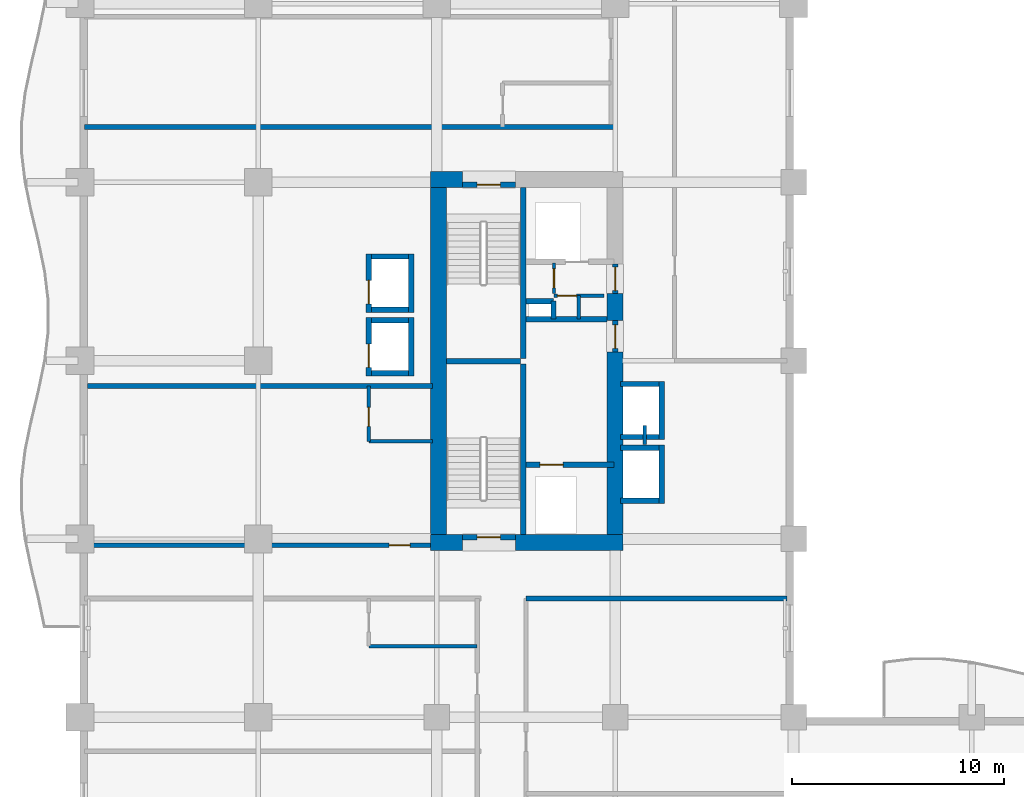
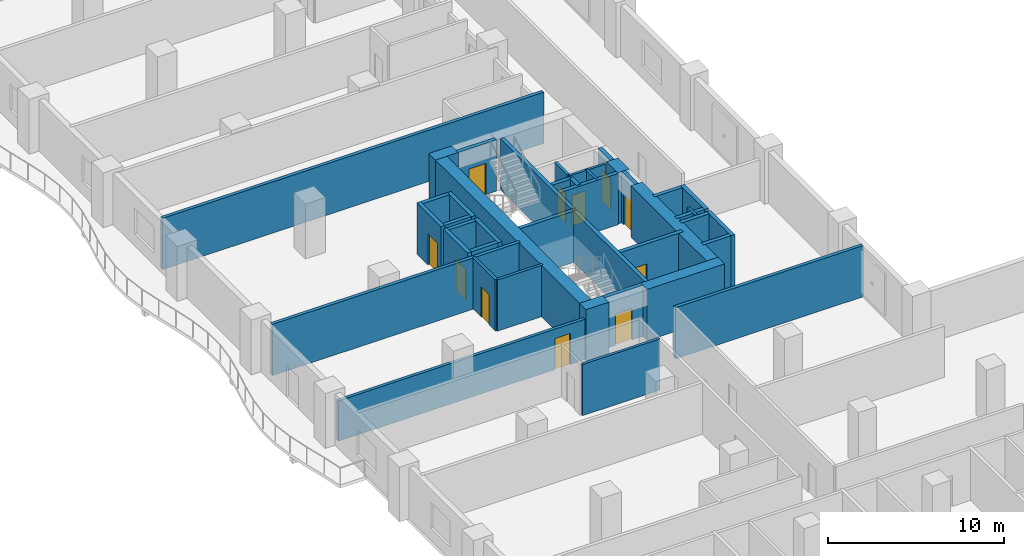
# One storey, part 8 of 18: 42 walls, 11 doors, 11 openings.
"""IFC4 building model written with IfcOpenShell, lengths in metres."""

from ifc_helpers import new_model, si_unit, direction, frame, frame_2d, origin, place, context, subcontext, project, spatial, rectangle, extrude, material, layer, layer_set, type_object, element, fill, save


model = new_model("IFC4")

# Units and contexts
model_context = context("Model", 3, precision=1e-05, world=origin(), true_north=direction((0.0, 1.0)))
body_context = subcontext(model_context, "Body", "Model", "MODEL_VIEW")
ifc_project = project(units=[si_unit("LENGTHUNIT", "METRE"), si_unit("AREAUNIT", "SQUARE_METRE"), si_unit("VOLUMEUNIT", "CUBIC_METRE"), si_unit("PLANEANGLEUNIT", "RADIAN"), si_unit("MASSUNIT", "GRAM", prefix="KILO")], contexts=[model_context])

# Site, building, storey
site_placement = place(None, origin())
site = spatial("IfcSite", under=ifc_project, at=site_placement, CompositionType="ELEMENT")
building_placement = place(site_placement, origin())
building = spatial("IfcBuilding", under=site, at=building_placement, Name="Koriwani Terraces Tower", CompositionType="ELEMENT")
storey_placement = place(building_placement, frame((0.0, 0.0, 100.0)))
storey = spatial("IfcBuildingStorey", under=building, at=storey_placement, Name="L23", CompositionType="ELEMENT", Elevation=100.0)

# Walls
ifc_material_1 = material(Name="Concrete C60/75", Category="concrete")
ifc_layer_1 = layer(ifc_material_1, 0.75, Name="Concrete C60/75")
ifc_layer_set_1 = layer_set([ifc_layer_1], Name="Concrete C60/75")
wall_type_1 = type_object("IfcWallType", Name="WALL_CORE_RC_750", PredefinedType="SHEAR", material=ifc_layer_set_1)
wall_1_placement = place(storey_placement, frame((16.5, 41.824951171875, 0.0), z_axis=(0.0, 0.0, 1.0), x_axis=(1.0, 0.0, 0.0)))
element("IfcWall", 1, at=wall_1_placement, inside=storey, type_object=wall_type_1, Name="L23 West Split Core Shear Wall S1", PredefinedType="SHEAR", context=body_context, shape_type="SweptSolid", body=[
    extrude(rectangle(XDim=1.5, YDim=0.75, at=frame_2d((0.75, 0.0))), origin(), (0.0, 0.0, 1.0), 3.550048828125),
])
wall_2_placement = place(storey_placement, frame((20.5, 41.824951171875, 0.0), z_axis=(0.0, 0.0, 1.0), x_axis=(1.0, 0.0, 0.0)))
element("IfcWall", 2, at=wall_2_placement, inside=storey, type_object=wall_type_1, Name="L23 West Split Core Shear Wall S2", PredefinedType="SHEAR", context=body_context, shape_type="SweptSolid", body=[
    extrude(rectangle(XDim=5.074951171875, YDim=0.75, at=frame_2d((2.53759765625, 0.0))), origin(), (0.0, 0.0, 1.0), 3.550048828125),
])
wall_3_placement = place(storey_placement, frame((16.5, 58.925048828125, 0.0), z_axis=(0.0, 0.0, 1.0), x_axis=(1.0, 0.0, 0.0)))
element("IfcWall", 3, at=wall_3_placement, inside=storey, type_object=wall_type_1, Name="L23 West Split Core Shear Wall N1", PredefinedType="SHEAR", context=body_context, shape_type="SweptSolid", body=[
    extrude(rectangle(XDim=1.5, YDim=0.75, at=frame_2d((0.75, 0.0))), origin(), (0.0, 0.0, 1.0), 3.550048828125),
])
wall_4_placement = place(storey_placement, frame((16.875, 42.199951171875, 0.0), z_axis=(0.0, 0.0, 1.0), x_axis=(0.0, 1.0, 0.0)))
element("IfcWall", 4, at=wall_4_placement, inside=storey, type_object=wall_type_1, Name="L23 West Split Core Shear Wall W1", PredefinedType="SHEAR", context=body_context, shape_type="SweptSolid", body=[
    extrude(rectangle(XDim=16.35009765625, YDim=0.75, at=frame_2d((8.175048828125, 0.0))), origin(), (0.0, 0.0, 1.0), 3.550048828125),
])
wall_5_placement = place(storey_placement, frame((25.199951171875, 42.199951171875, 0.0), z_axis=(0.0, 0.0, 1.0), x_axis=(0.0, 1.0, 0.0)))
element("IfcWall", 5, at=wall_5_placement, inside=storey, type_object=wall_type_1, Name="L23 West Split Core Shear Wall E1", PredefinedType="SHEAR", context=body_context, shape_type="SweptSolid", body=[
    extrude(rectangle(XDim=8.60009765625, YDim=0.75, at=frame_2d((4.300048828125, 0.0))), origin(), (0.0, 0.0, 1.0), 3.550048828125),
])
wall_6_placement = place(storey_placement, frame((25.199951171875, 52.280029296875, 0.0), z_axis=(0.0, 0.0, 1.0), x_axis=(0.0, 1.0, 0.0)))
element("IfcWall", 6, at=wall_6_placement, inside=storey, type_object=wall_type_1, Name="L23 West Split Core Shear Wall E2", PredefinedType="SHEAR", context=body_context, shape_type="SweptSolid", body=[
    extrude(rectangle(XDim=1.27001953125, YDim=0.75, at=frame_2d((0.635009765625, 0.0))), origin(), (0.0, 0.0, 1.0), 3.550048828125),
])

# Wall, opening, door
ifc_material_2 = material(Name="Autoclaved Cellular Concrete Blockwork", Category="masonry")
ifc_layer_2 = layer(ifc_material_2, 0.199951171875, Name="Autoclaved Cellular Concrete Blockwork")
ifc_layer_set_2 = layer_set([ifc_layer_2], Name="Autoclaved Cellular Concrete Blockwork")
wall_type_2 = type_object("IfcWallType", Name="WALL_CORRIDOR_200", PredefinedType="PARTITIONING", material=ifc_layer_set_2)
wall_7_placement = place(storey_placement, frame((0.35009765625, 41.699951171875, 0.0), z_axis=(0.0, 0.0, 1.0), x_axis=(1.0, 0.0, 0.0)))
wall_7 = element("IfcWall", 7, at=wall_7_placement, inside=storey, type_object=wall_type_2, Name="L23 Interior Wall WREC-WS-L23", PredefinedType="PARTITIONING", context=body_context, shape_type="SweptSolid", body=[
    extrude(rectangle(XDim=16.25, YDim=0.199951171875, at=frame_2d((8.125, 0.0))), origin(), (0.0, 0.0, 1.0), 2.800048828125),
])
opening_1_placement = place(wall_7_placement, frame((14.199951171875, 0.0, 0.0)))
opening_1 = element("IfcOpeningElement", 8, at=opening_1_placement, cuts=wall_7, Name="Opening D-05", PredefinedType="OPENING", context=body_context, shape_type="SweptSolid", body=[
    extrude(rectangle(XDim=1.0, YDim=2.14990234375, at=frame_2d((0.5, 1.074951171875))), frame((0.0, 0.10986328125, 0.0), z_axis=(0.0, -1.0, 0.0), x_axis=(1.0, 0.0, 0.0)), (0.0, 0.0, 1.0), 0.219970703125),
])
ifc_material_3 = material(Name="Architectural Oak Fire Door", Category="wood")
door_type_1 = type_object("IfcDoorType", Name="DOOR_SUITE_ENTRY_1000X2150", OperationType="NOTDEFINED", PredefinedType="DOOR", material=ifc_material_3)
door_1_placement = place(opening_1_placement, origin())
door_1 = element("IfcDoor", 9, at=door_1_placement, inside=storey, type_object=door_type_1, Name="L23 Reclaimed West Suite Door", OperationType="SINGLE_SWING_LEFT", OverallHeight=2.14990234375, OverallWidth=1.0, PredefinedType="DOOR", context=body_context, shape_type="SweptSolid", body=[
    extrude(rectangle(XDim=1.0, YDim=2.14990234375, at=frame_2d((0.5, 1.074951171875))), frame((0.0, 0.02490234375, 0.0), z_axis=(0.0, -1.0, 0.0), x_axis=(1.0, 0.0, 0.0)), (0.0, 0.0, 1.0), 0.050048828125),
])
fill(opening_1, door_1)

# Walls
ifc_layer_3 = layer(ifc_material_2, 0.219970703125, Name="Autoclaved Cellular Concrete Blockwork")
ifc_layer_set_3 = layer_set([ifc_layer_3], Name="Autoclaved Cellular Concrete Blockwork")
wall_type_3 = type_object("IfcWallType", Name="WALL_DEMISING_220", PredefinedType="PARTITIONING", material=ifc_layer_set_3)
wall_8_placement = place(storey_placement, frame((0.35009765625, 49.199951171875, 0.0), z_axis=(0.0, 0.0, 1.0), x_axis=(1.0, 0.0, 0.0)))
element("IfcWall", 10, at=wall_8_placement, inside=storey, type_object=wall_type_3, Name="L23 Interior Wall WREC-WN-L23", PredefinedType="PARTITIONING", context=body_context, shape_type="SweptSolid", body=[
    extrude(rectangle(XDim=16.25, YDim=0.219970703125, at=frame_2d((8.125, 0.0))), origin(), (0.0, 0.0, 1.0), 3.550048828125),
])
wall_9_placement = place(storey_placement, frame((21.0, 39.199951171875, 0.0), z_axis=(0.0, 0.0, 1.0), x_axis=(1.0, 0.0, 0.0)))
element("IfcWall", 11, at=wall_9_placement, inside=storey, type_object=wall_type_3, Name="L23 Interior Wall WIC2-N-L23", PredefinedType="PARTITIONING", context=body_context, shape_type="SweptSolid", body=[
    extrude(rectangle(XDim=12.300048828125, YDim=0.219970703125, at=frame_2d((6.14990234375, 0.0))), origin(), (0.0, 0.0, 1.0), 3.550048828125),
])
wall_10_placement = place(storey_placement, frame((0.199951171875, 61.39990234375, 0.0), z_axis=(0.0, 0.0, 1.0), x_axis=(1.0, 0.0, 0.0)))
element("IfcWall", 12, at=wall_10_placement, inside=storey, type_object=wall_type_3, Name="L23 Interior Wall WDEM-L23-NE-0", PredefinedType="PARTITIONING", context=body_context, shape_type="SweptSolid", body=[
    extrude(rectangle(XDim=24.97998046875, YDim=0.219970703125, at=frame_2d((12.489990234375, 0.0))), origin(), (0.0, 0.0, 1.0), 3.550048828125),
])
ifc_material_4 = material(Name="Fire-Rated Acoustic Gypsum Partition", Category="masonry")
ifc_layer_4 = layer(ifc_material_4, 0.179931640625, Name="Fire-Rated Acoustic Gypsum Partition")
ifc_layer_set_4 = layer_set([ifc_layer_4], Name="Fire-Rated Acoustic Gypsum Partition")
wall_type_4 = type_object("IfcWallType", Name="WALL_PLUMBING_180", PredefinedType="PLUMBINGWALL", material=ifc_layer_set_4)
wall_11_placement = place(storey_placement, frame((13.60009765625, 46.60009765625, 0.0), z_axis=(0.0, 0.0, 1.0), x_axis=(1.0, 0.0, 0.0)))
element("IfcWall", 13, at=wall_11_placement, inside=storey, type_object=wall_type_4, Name="L23 Interior Wall WREC-WB1-L23", PredefinedType="PLUMBINGWALL", context=body_context, shape_type="SweptSolid", body=[
    extrude(rectangle(XDim=3.0, YDim=0.179931640625, at=frame_2d((1.5, 0.0))), origin(), (0.0, 0.0, 1.0), 3.550048828125),
])

# Wall, opening, door
wall_12_placement = place(storey_placement, frame((13.60009765625, 46.60009765625, 0.0), z_axis=(0.0, 0.0, 1.0), x_axis=(0.0, 1.0, 0.0)))
wall_12 = element("IfcWall", 14, at=wall_12_placement, inside=storey, type_object=wall_type_4, Name="L23 Interior Wall WREC-WB2-L23", PredefinedType="PLUMBINGWALL", context=body_context, shape_type="SweptSolid", body=[
    extrude(rectangle(XDim=2.599853515625, YDim=0.179931640625, at=frame_2d((1.2998046875, 0.0))), origin(), (0.0, 0.0, 1.0), 3.550048828125),
])
opening_2_placement = place(wall_12_placement, frame((0.699951171875, 0.0, 0.0)))
opening_2 = element("IfcOpeningElement", 15, at=opening_2_placement, cuts=wall_12, Name="Opening D-07", PredefinedType="OPENING", context=body_context, shape_type="SweptSolid", body=[
    extrude(rectangle(XDim=0.89990234375, YDim=2.10009765625, at=frame_2d((0.449951171875, 1.050048828125))), frame((0.0, 0.10009765625, 0.0), z_axis=(0.0, -1.0, 0.0), x_axis=(1.0, 0.0, 0.0)), (0.0, 0.0, 1.0), 0.199951171875),
])
door_type_2 = type_object("IfcDoorType", Name="DOOR_BATH_INT_900X2100", OperationType="NOTDEFINED", PredefinedType="DOOR", material=ifc_material_3)
door_2_placement = place(opening_2_placement, origin())
door_2 = element("IfcDoor", 16, at=door_2_placement, inside=storey, type_object=door_type_2, Name="L23 Reclaimed Suite En-Suite Door", OperationType="SINGLE_SWING_RIGHT", OverallHeight=2.10009765625, OverallWidth=0.89990234375, PredefinedType="DOOR", context=body_context, shape_type="SweptSolid", body=[
    extrude(rectangle(XDim=0.89990234375, YDim=2.10009765625, at=frame_2d((0.449951171875, 1.050048828125))), frame((0.0, 0.02490234375, 0.0), z_axis=(0.0, -1.0, 0.0), x_axis=(1.0, 0.0, 0.0)), (0.0, 0.0, 1.0), 0.050048828125),
])
fill(opening_2, door_2)

# Walls
wall_13_placement = place(storey_placement, frame((13.60009765625, 36.949951171875, 0.0), z_axis=(0.0, 0.0, 1.0), x_axis=(1.0, 0.0, 0.0)))
element("IfcWall", 17, at=wall_13_placement, inside=storey, type_object=wall_type_4, Name="L23 Interior Wall WBTH2-L23-NW-1", PredefinedType="PLUMBINGWALL", context=body_context, shape_type="SweptSolid", body=[
    extrude(rectangle(XDim=5.099853515625, YDim=0.179931640625, at=frame_2d((2.5498046875, 0.0))), origin(), (0.0, 0.0, 1.0), 3.550048828125),
])
ifc_material_5 = material(Name="Concrete C40/50", Category="concrete")
ifc_layer_5 = layer(ifc_material_5, 0.25, Name="Concrete C40/50")
ifc_layer_set_5 = layer_set([ifc_layer_5], Name="Concrete C40/50")
wall_type_5 = type_object("IfcWallType", Name="WALL_SHAFT_RATED_250", PredefinedType="SOLIDWALL", material=ifc_layer_set_5)
for number, where, z_axis, x_axis, name in (
    (18, (20.875, 42.199951171875, 0.0), (0.0, 0.0, 1.0), (0.0, 1.0, 0.0), "L23 West Split Core Web Wall MID1"),
    (19, (20.875, 50.5, 0.0), (0.0, 0.0, 1.0), (0.0, 1.0, 0.0), "L23 West Split Core Web Wall MID2"),
):
    element("IfcWall", number, at=place(storey_placement, frame(where, z_axis=z_axis, x_axis=x_axis)), inside=storey, type_object=wall_type_5, Name=name, PredefinedType="SOLIDWALL", context=body_context, shape_type="SweptSolid", body=[
        extrude(rectangle(XDim=8.050048828125, YDim=0.25, at=frame_2d((4.02490234375, 0.0))), origin(), (0.0, 0.0, 1.0), 3.550048828125),
    ])
wall_14_placement = place(storey_placement, frame((17.25, 50.375, 0.0), z_axis=(0.0, 0.0, 1.0), x_axis=(1.0, 0.0, 0.0)))
element("IfcWall", 20, at=wall_14_placement, inside=storey, type_object=wall_type_5, Name="L23 West Split Core Stair Dividing Wall", PredefinedType="SOLIDWALL", context=body_context, shape_type="SweptSolid", body=[
    extrude(rectangle(XDim=3.5, YDim=0.25, at=frame_2d((1.75, 0.0))), origin(), (0.0, 0.0, 1.0), 3.550048828125),
])

# Wall, opening, door
wall_15_placement = place(storey_placement, frame((18.0, 42.074951171875, 0.0), z_axis=(0.0, 0.0, 1.0), x_axis=(1.0, 0.0, 0.0)))
wall_15 = element("IfcWall", 21, at=wall_15_placement, inside=storey, type_object=wall_type_5, Name="L23 Interior Wall WIN-CW-L23-STS", PredefinedType="SOLIDWALL", context=body_context, shape_type="SweptSolid", body=[
    extrude(rectangle(XDim=2.5, YDim=0.25, at=frame_2d((1.25, 0.0))), origin(), (0.0, 0.0, 1.0), 3.550048828125),
])
opening_3_placement = place(wall_15_placement, frame((0.699951171875, 0.0, 0.0)))
opening_3 = element("IfcOpeningElement", 22, at=opening_3_placement, cuts=wall_15, Name="Opening D-03", PredefinedType="OPENING", context=body_context, shape_type="SweptSolid", body=[
    extrude(rectangle(XDim=1.10009765625, YDim=2.14990234375, at=frame_2d((0.550048828125, 1.074951171875))), frame((0.0, 0.135009765625, 0.0), z_axis=(0.0, -1.0, 0.0), x_axis=(1.0, 0.0, 0.0)), (0.0, 0.0, 1.0), 0.27001953125),
])
ifc_material_6 = material(Name="Steel ASTM A572 Grade 50", Category="steel")
door_type_3 = type_object("IfcDoorType", Name="DOOR_STAIR_FIRE_1100X2150", OperationType="NOTDEFINED", PredefinedType="DOOR", material=ifc_material_6)
door_3_placement = place(opening_3_placement, origin())
door_3 = element("IfcDoor", 23, at=door_3_placement, inside=storey, type_object=door_type_3, Name="L23 Exit Stair ST-W1 Door", OperationType="SINGLE_SWING_LEFT", OverallHeight=2.14990234375, OverallWidth=1.10009765625, PredefinedType="DOOR", context=body_context, shape_type="SweptSolid", body=[
    extrude(rectangle(XDim=1.10009765625, YDim=2.14990234375, at=frame_2d((0.550048828125, 1.074951171875))), frame((0.0, 0.02490234375, 0.0), z_axis=(0.0, -1.0, 0.0), x_axis=(1.0, 0.0, 0.0)), (0.0, 0.0, 1.0), 0.050048828125),
])
fill(opening_3, door_3)

wall_16_placement = place(storey_placement, frame((18.0, 58.675048828125, 0.0), z_axis=(0.0, 0.0, 1.0), x_axis=(1.0, 0.0, 0.0)))
wall_16 = element("IfcWall", 24, at=wall_16_placement, inside=storey, type_object=wall_type_5, Name="L23 Interior Wall WIN-CW-L23-STN", PredefinedType="SOLIDWALL", context=body_context, shape_type="SweptSolid", body=[
    extrude(rectangle(XDim=2.5, YDim=0.25, at=frame_2d((1.25, 0.0))), origin(), (0.0, 0.0, 1.0), 3.550048828125),
])
opening_4_placement = place(wall_16_placement, frame((0.699951171875, 0.0, 0.0)))
opening_4 = element("IfcOpeningElement", 25, at=opening_4_placement, cuts=wall_16, Name="Opening D-03", PredefinedType="OPENING", context=body_context, shape_type="SweptSolid", body=[
    extrude(rectangle(XDim=1.10009765625, YDim=2.14990234375, at=frame_2d((0.550048828125, 1.074951171875))), frame((0.0, 0.135009765625, 0.0), z_axis=(0.0, -1.0, 0.0), x_axis=(1.0, 0.0, 0.0)), (0.0, 0.0, 1.0), 0.27001953125),
])
door_4_placement = place(opening_4_placement, origin())
door_4 = element("IfcDoor", 26, at=door_4_placement, inside=storey, type_object=door_type_3, Name="L23 Exit Stair ST-W2 Door", OperationType="SINGLE_SWING_RIGHT", OverallHeight=2.14990234375, OverallWidth=1.10009765625, PredefinedType="DOOR", context=body_context, shape_type="SweptSolid", body=[
    extrude(rectangle(XDim=1.10009765625, YDim=2.14990234375, at=frame_2d((0.550048828125, 1.074951171875))), frame((0.0, 0.02490234375, 0.0), z_axis=(0.0, -1.0, 0.0), x_axis=(1.0, 0.0, 0.0)), (0.0, 0.0, 1.0), 0.050048828125),
])
fill(opening_4, door_4)

wall_17_placement = place(storey_placement, frame((21.0, 45.5, 0.0), z_axis=(0.0, 0.0, 1.0), x_axis=(1.0, 0.0, 0.0)))
wall_17 = element("IfcWall", 27, at=wall_17_placement, inside=storey, type_object=wall_type_5, Name="L23 Interior Wall WIN-CW-L23-FE", PredefinedType="SOLIDWALL", context=body_context, shape_type="SweptSolid", body=[
    extrude(rectangle(XDim=4.14990234375, YDim=0.25, at=frame_2d((2.074951171875, 0.0))), origin(), (0.0, 0.0, 1.0), 3.550048828125),
])
opening_5_placement = place(wall_17_placement, frame((0.64990234375, 0.0, 0.0)))
opening_5 = element("IfcOpeningElement", 28, at=opening_5_placement, cuts=wall_17, Name="Opening LD-01", PredefinedType="OPENING", context=body_context, shape_type="SweptSolid", body=[
    extrude(rectangle(XDim=1.10009765625, YDim=2.14990234375, at=frame_2d((0.550048828125, 1.074951171875))), frame((0.0, 0.135009765625, 0.0), z_axis=(0.0, -1.0, 0.0), x_axis=(1.0, 0.0, 0.0)), (0.0, 0.0, 1.0), 0.27001953125),
])
door_type_4 = type_object("IfcDoorType", Name="DOOR_LIFT_LANDING_1100X2200", OperationType="NOTDEFINED", PredefinedType="DOOR", material=ifc_material_6)
door_5_placement = place(opening_5_placement, origin())
door_5 = element("IfcDoor", 29, at=door_5_placement, inside=storey, type_object=door_type_4, Name="L23 Firefighting Lift FE-01 Landing Door", OperationType="SLIDING_TO_LEFT", OverallHeight=2.14990234375, OverallWidth=1.10009765625, PredefinedType="DOOR", context=body_context, shape_type="SweptSolid", body=[
    extrude(rectangle(XDim=1.10009765625, YDim=2.14990234375, at=frame_2d((0.550048828125, 1.074951171875))), frame((0.0, 0.02490234375, 0.0), z_axis=(0.0, -1.0, 0.0), x_axis=(1.0, 0.0, 0.0)), (0.0, 0.0, 1.0), 0.050048828125),
])
fill(opening_5, door_5)

wall_18_placement = place(storey_placement, frame((25.199951171875, 50.800048828125, 0.0), z_axis=(0.0, 0.0, 1.0), x_axis=(0.0, 1.0, 0.0)))
wall_18 = element("IfcWall", 30, at=wall_18_placement, inside=storey, type_object=wall_type_5, Name="L23 Interior Wall WIN-CW-L23-EP", PredefinedType="SOLIDWALL", context=body_context, shape_type="SweptSolid", body=[
    extrude(rectangle(XDim=1.47998046875, YDim=0.25, at=frame_2d((0.739990234375, 0.0))), origin(), (0.0, 0.0, 1.0), 3.550048828125),
])
opening_6_placement = place(wall_18_placement, frame((0.179931640625, 0.0, 0.0)))
opening_6 = element("IfcOpeningElement", 31, at=opening_6_placement, cuts=wall_18, Name="Opening D-03", PredefinedType="OPENING", context=body_context, shape_type="SweptSolid", body=[
    extrude(rectangle(XDim=1.10009765625, YDim=2.14990234375, at=frame_2d((0.550048828125, 1.074951171875))), frame((0.0, 0.135009765625, 0.0), z_axis=(0.0, -1.0, 0.0), x_axis=(1.0, 0.0, 0.0)), (0.0, 0.0, 1.0), 0.27001953125),
])
door_6_placement = place(opening_6_placement, origin())
door_6 = element("IfcDoor", 32, at=door_6_placement, inside=storey, type_object=door_type_3, Name="L23 West Firefighting Lobby Door", OperationType="SINGLE_SWING_LEFT", OverallHeight=2.14990234375, OverallWidth=1.10009765625, PredefinedType="DOOR", context=body_context, shape_type="SweptSolid", body=[
    extrude(rectangle(XDim=1.10009765625, YDim=2.14990234375, at=frame_2d((0.550048828125, 1.074951171875))), frame((0.0, 0.02490234375, 0.0), z_axis=(0.0, -1.0, 0.0), x_axis=(1.0, 0.0, 0.0)), (0.0, 0.0, 1.0), 0.050048828125),
])
fill(opening_6, door_6)

# Wall
wall_19_placement = place(storey_placement, frame((21.0, 52.340087890625, 0.0), z_axis=(0.0, 0.0, 1.0), x_axis=(1.0, 0.0, 0.0)))
element("IfcWall", 33, at=wall_19_placement, inside=storey, type_object=wall_type_5, Name="L23 Interior Wall WIN-CW-L23-FFN", PredefinedType="SOLIDWALL", context=body_context, shape_type="SweptSolid", body=[
    extrude(rectangle(XDim=3.824951171875, YDim=0.25, at=frame_2d((1.91259765625, 0.0))), origin(), (0.0, 0.0, 1.0), 3.550048828125),
])

# Wall, opening, door
wall_20_placement = place(storey_placement, frame((25.199951171875, 53.550048828125, 0.0), z_axis=(0.0, 0.0, 1.0), x_axis=(0.0, 1.0, 0.0)))
wall_20 = element("IfcWall", 34, at=wall_20_placement, inside=storey, type_object=wall_type_5, Name="L23 Interior Wall WIN-CW-L23-EP2", PredefinedType="SOLIDWALL", context=body_context, shape_type="SweptSolid", body=[
    extrude(rectangle(XDim=1.39990234375, YDim=0.25, at=frame_2d((0.699951171875, 0.0))), origin(), (0.0, 0.0, 1.0), 3.550048828125),
])
opening_7_placement = place(wall_20_placement, frame((0.14990234375, 0.0, 0.0)))
opening_7 = element("IfcOpeningElement", 35, at=opening_7_placement, cuts=wall_20, Name="Opening D-03", PredefinedType="OPENING", context=body_context, shape_type="SweptSolid", body=[
    extrude(rectangle(XDim=1.10009765625, YDim=2.14990234375, at=frame_2d((0.550048828125, 1.074951171875))), frame((0.0, 0.135009765625, 0.0), z_axis=(0.0, -1.0, 0.0), x_axis=(1.0, 0.0, 0.0)), (0.0, 0.0, 1.0), 0.27001953125),
])
door_7_placement = place(opening_7_placement, origin())
door_7 = element("IfcDoor", 36, at=door_7_placement, inside=storey, type_object=door_type_3, Name="L23 West Goods Lift Lobby Door", OperationType="SINGLE_SWING_RIGHT", OverallHeight=2.14990234375, OverallWidth=1.10009765625, PredefinedType="DOOR", context=body_context, shape_type="SweptSolid", body=[
    extrude(rectangle(XDim=1.10009765625, YDim=2.14990234375, at=frame_2d((0.550048828125, 1.074951171875))), frame((0.0, 0.02490234375, 0.0), z_axis=(0.0, -1.0, 0.0), x_axis=(1.0, 0.0, 0.0)), (0.0, 0.0, 1.0), 0.050048828125),
])
fill(opening_7, door_7)

# Walls
wall_21_placement = place(storey_placement, frame((21.0, 53.199951171875, 0.0), z_axis=(0.0, 0.0, 1.0), x_axis=(1.0, 0.0, 0.0)))
element("IfcWall", 37, at=wall_21_placement, inside=storey, type_object=wall_type_5, Name="L23 Interior Wall WIN-CW-L23-RS1", PredefinedType="SOLIDWALL", context=body_context, shape_type="SweptSolid", body=[
    extrude(rectangle(XDim=1.300048828125, YDim=0.25, at=frame_2d((0.64990234375, 0.0))), origin(), (0.0, 0.0, 1.0), 3.550048828125),
])
wall_22_placement = place(storey_placement, frame((22.300048828125, 52.360107421875, 0.0), z_axis=(0.0, 0.0, 1.0), x_axis=(0.0, 1.0, 0.0)))
element("IfcWall", 38, at=wall_22_placement, inside=storey, type_object=wall_type_5, Name="L23 Interior Wall WIN-CW-L23-RS2", PredefinedType="SOLIDWALL", context=body_context, shape_type="SweptSolid", body=[
    extrude(rectangle(XDim=0.83984375, YDim=0.25, at=frame_2d((0.419921875, 0.0))), origin(), (0.0, 0.0, 1.0), 3.550048828125),
])

# Wall, opening, door
wall_23_placement = place(storey_placement, frame((13.60009765625, 49.675048828125, 0.0), z_axis=(0.0, 0.0, 1.0), x_axis=(0.0, 1.0, 0.0)))
wall_23 = element("IfcWall", 39, at=wall_23_placement, inside=storey, type_object=wall_type_5, Name="L23 Interior Wall WIN-LF-PE-M1-L23-F", PredefinedType="SOLIDWALL", context=body_context, shape_type="SweptSolid", body=[
    extrude(rectangle(XDim=2.75, YDim=0.25, at=frame_2d((1.375, 0.0))), origin(), (0.0, 0.0, 1.0), 3.550048828125),
])
opening_8_placement = place(wall_23_placement, frame((0.39990234375, 0.0, 0.0)))
opening_8 = element("IfcOpeningElement", 40, at=opening_8_placement, cuts=wall_23, Name="Opening LD-01", PredefinedType="OPENING", context=body_context, shape_type="SweptSolid", body=[
    extrude(rectangle(XDim=1.10009765625, YDim=2.14990234375, at=frame_2d((0.550048828125, 1.074951171875))), frame((0.0, 0.135009765625, 0.0), z_axis=(0.0, -1.0, 0.0), x_axis=(1.0, 0.0, 0.0)), (0.0, 0.0, 1.0), 0.27001953125),
])
door_8_placement = place(opening_8_placement, origin())
door_8 = element("IfcDoor", 41, at=door_8_placement, inside=storey, type_object=door_type_4, Name="L23 Passenger Lift PE-M1 Landing Door", OperationType="SLIDING_TO_LEFT", OverallHeight=2.14990234375, OverallWidth=1.10009765625, PredefinedType="DOOR", context=body_context, shape_type="SweptSolid", body=[
    extrude(rectangle(XDim=1.10009765625, YDim=2.14990234375, at=frame_2d((0.550048828125, 1.074951171875))), frame((0.0, 0.02490234375, 0.0), z_axis=(0.0, -1.0, 0.0), x_axis=(1.0, 0.0, 0.0)), (0.0, 0.0, 1.0), 0.050048828125),
])
fill(opening_8, door_8)

# Walls
wall_24_placement = place(storey_placement, frame((15.60009765625, 49.675048828125, 0.0), z_axis=(0.0, 0.0, 1.0), x_axis=(0.0, 1.0, 0.0)))
element("IfcWall", 42, at=wall_24_placement, inside=storey, type_object=wall_type_5, Name="L23 Interior Wall WIN-LF-PE-M1-L23-B", PredefinedType="SOLIDWALL", context=body_context, shape_type="SweptSolid", body=[
    extrude(rectangle(XDim=2.75, YDim=0.25, at=frame_2d((1.375, 0.0))), origin(), (0.0, 0.0, 1.0), 3.550048828125),
])
for number, where, z_axis, x_axis, name in (
    (43, (13.72509765625, 49.800048828125, 0.0), (0.0, 0.0, 1.0), (1.0, 0.0, 0.0), "L23 Interior Wall WIN-LF-PE-M1-L23-S"),
    (44, (13.72509765625, 52.300048828125, 0.0), (0.0, 0.0, 1.0), (1.0, 0.0, 0.0), "L23 Interior Wall WIN-LF-PE-M1-L23-N"),
):
    element("IfcWall", number, at=place(storey_placement, frame(where, z_axis=z_axis, x_axis=x_axis)), inside=storey, type_object=wall_type_5, Name=name, PredefinedType="SOLIDWALL", context=body_context, shape_type="SweptSolid", body=[
        extrude(rectangle(XDim=1.75, YDim=0.25, at=frame_2d((0.875, 0.0))), origin(), (0.0, 0.0, 1.0), 3.550048828125),
    ])

# Wall, opening, door
wall_25_placement = place(storey_placement, frame((13.60009765625, 52.675048828125, 0.0), z_axis=(0.0, 0.0, 1.0), x_axis=(0.0, 1.0, 0.0)))
wall_25 = element("IfcWall", 45, at=wall_25_placement, inside=storey, type_object=wall_type_5, Name="L23 Interior Wall WIN-LF-PE-M2-L23-F", PredefinedType="SOLIDWALL", context=body_context, shape_type="SweptSolid", body=[
    extrude(rectangle(XDim=2.75, YDim=0.25, at=frame_2d((1.375, 0.0))), origin(), (0.0, 0.0, 1.0), 3.550048828125),
])
opening_9_placement = place(wall_25_placement, frame((0.39990234375, 0.0, 0.0)))
opening_9 = element("IfcOpeningElement", 46, at=opening_9_placement, cuts=wall_25, Name="Opening LD-01", PredefinedType="OPENING", context=body_context, shape_type="SweptSolid", body=[
    extrude(rectangle(XDim=1.10009765625, YDim=2.14990234375, at=frame_2d((0.550048828125, 1.074951171875))), frame((0.0, 0.135009765625, 0.0), z_axis=(0.0, -1.0, 0.0), x_axis=(1.0, 0.0, 0.0)), (0.0, 0.0, 1.0), 0.27001953125),
])
door_9_placement = place(opening_9_placement, origin())
door_9 = element("IfcDoor", 47, at=door_9_placement, inside=storey, type_object=door_type_4, Name="L23 Passenger Lift PE-M2 Landing Door", OperationType="SLIDING_TO_LEFT", OverallHeight=2.14990234375, OverallWidth=1.10009765625, PredefinedType="DOOR", context=body_context, shape_type="SweptSolid", body=[
    extrude(rectangle(XDim=1.10009765625, YDim=2.14990234375, at=frame_2d((0.550048828125, 1.074951171875))), frame((0.0, 0.02490234375, 0.0), z_axis=(0.0, -1.0, 0.0), x_axis=(1.0, 0.0, 0.0)), (0.0, 0.0, 1.0), 0.050048828125),
])
fill(opening_9, door_9)

# Walls
wall_26_placement = place(storey_placement, frame((15.60009765625, 52.675048828125, 0.0), z_axis=(0.0, 0.0, 1.0), x_axis=(0.0, 1.0, 0.0)))
element("IfcWall", 48, at=wall_26_placement, inside=storey, type_object=wall_type_5, Name="L23 Interior Wall WIN-LF-PE-M2-L23-B", PredefinedType="SOLIDWALL", context=body_context, shape_type="SweptSolid", body=[
    extrude(rectangle(XDim=2.75, YDim=0.25, at=frame_2d((1.375, 0.0))), origin(), (0.0, 0.0, 1.0), 3.550048828125),
])
for number, where, z_axis, x_axis, name in (
    (49, (13.72509765625, 52.800048828125, 0.0), (0.0, 0.0, 1.0), (1.0, 0.0, 0.0), "L23 Interior Wall WIN-LF-PE-M2-L23-S"),
    (50, (13.72509765625, 55.300048828125, 0.0), (0.0, 0.0, 1.0), (1.0, 0.0, 0.0), "L23 Interior Wall WIN-LF-PE-M2-L23-N"),
):
    element("IfcWall", number, at=place(storey_placement, frame(where, z_axis=z_axis, x_axis=x_axis)), inside=storey, type_object=wall_type_5, Name=name, PredefinedType="SOLIDWALL", context=body_context, shape_type="SweptSolid", body=[
        extrude(rectangle(XDim=1.75, YDim=0.25, at=frame_2d((0.875, 0.0))), origin(), (0.0, 0.0, 1.0), 3.550048828125),
    ])
wall_27_placement = place(storey_placement, frame((27.39990234375, 43.675048828125, 0.0), z_axis=(0.0, 0.0, 1.0), x_axis=(0.0, 1.0, 0.0)))
element("IfcWall", 51, at=wall_27_placement, inside=storey, type_object=wall_type_5, Name="L23 Interior Wall WIN-LF-PE-H1-L23-F", PredefinedType="SOLIDWALL", context=body_context, shape_type="SweptSolid", body=[
    extrude(rectangle(XDim=2.75, YDim=0.25, at=frame_2d((1.375, 0.0))), origin(), (0.0, 0.0, 1.0), 3.550048828125),
])
for number, where, z_axis, x_axis, name in (
    (52, (25.449951171875, 43.800048828125, 0.0), (0.0, 0.0, 1.0), (1.0, 0.0, 0.0), "L23 Interior Wall WIN-LF-PE-H1-L23-S"),
    (53, (25.449951171875, 46.300048828125, 0.0), (0.0, 0.0, 1.0), (1.0, 0.0, 0.0), "L23 Interior Wall WIN-LF-PE-H1-L23-N"),
):
    element("IfcWall", number, at=place(storey_placement, frame(where, z_axis=z_axis, x_axis=x_axis)), inside=storey, type_object=wall_type_5, Name=name, PredefinedType="SOLIDWALL", context=body_context, shape_type="SweptSolid", body=[
        extrude(rectangle(XDim=1.824951171875, YDim=0.25, at=frame_2d((0.91259765625, 0.0))), origin(), (0.0, 0.0, 1.0), 3.550048828125),
    ])
wall_28_placement = place(storey_placement, frame((27.39990234375, 46.675048828125, 0.0), z_axis=(0.0, 0.0, 1.0), x_axis=(0.0, 1.0, 0.0)))
element("IfcWall", 54, at=wall_28_placement, inside=storey, type_object=wall_type_5, Name="L23 Interior Wall WIN-LF-PE-H2-L23-F", PredefinedType="SOLIDWALL", context=body_context, shape_type="SweptSolid", body=[
    extrude(rectangle(XDim=2.75, YDim=0.25, at=frame_2d((1.375, 0.0))), origin(), (0.0, 0.0, 1.0), 3.550048828125),
])
for number, where, z_axis, x_axis, name in (
    (55, (25.449951171875, 46.800048828125, 0.0), (0.0, 0.0, 1.0), (1.0, 0.0, 0.0), "L23 Interior Wall WIN-LF-PE-H2-L23-S"),
    (56, (25.449951171875, 49.300048828125, 0.0), (0.0, 0.0, 1.0), (1.0, 0.0, 0.0), "L23 Interior Wall WIN-LF-PE-H2-L23-N"),
):
    element("IfcWall", number, at=place(storey_placement, frame(where, z_axis=z_axis, x_axis=x_axis)), inside=storey, type_object=wall_type_5, Name=name, PredefinedType="SOLIDWALL", context=body_context, shape_type="SweptSolid", body=[
        extrude(rectangle(XDim=1.824951171875, YDim=0.25, at=frame_2d((0.91259765625, 0.0))), origin(), (0.0, 0.0, 1.0), 3.550048828125),
    ])

# Wall, opening, door
ifc_layer_6 = layer(ifc_material_4, 0.159912109375, Name="Fire-Rated Acoustic Gypsum Partition")
ifc_layer_set_6 = layer_set([ifc_layer_6], Name="Fire-Rated Acoustic Gypsum Partition")
wall_type_6 = type_object("IfcWallType", Name="WALL_SUITE_160", PredefinedType="PARTITIONING", material=ifc_layer_set_6)
wall_29_placement = place(storey_placement, frame((22.320068359375, 53.56005859375, 0.0), z_axis=(0.0, 0.0, 1.0), x_axis=(0.0, 1.0, 0.0)))
wall_29 = element("IfcWall", 57, at=wall_29_placement, inside=storey, type_object=wall_type_6, Name="L23 Interior Wall WIN-CW-L23-SV2A", PredefinedType="PARTITIONING", context=body_context, shape_type="SweptSolid", body=[
    extrude(rectangle(XDim=1.43994140625, YDim=0.159912109375, at=frame_2d((0.719970703125, 0.0))), origin(), (0.0, 0.0, 1.0), 3.550048828125),
])
opening_10_placement = place(wall_29_placement, frame((0.260009765625, 0.0, 0.0)))
opening_10 = element("IfcOpeningElement", 58, at=opening_10_placement, cuts=wall_29, Name="Opening D-07", PredefinedType="OPENING", context=body_context, shape_type="SweptSolid", body=[
    extrude(rectangle(XDim=0.89990234375, YDim=2.10009765625, at=frame_2d((0.449951171875, 1.050048828125))), frame((0.0, 0.08984375, 0.0), z_axis=(0.0, -1.0, 0.0), x_axis=(1.0, 0.0, 0.0)), (0.0, 0.0, 1.0), 0.179931640625),
])
door_10_placement = place(opening_10_placement, origin())
door_10 = element("IfcDoor", 59, at=door_10_placement, inside=storey, type_object=door_type_2, Name="L23 West Meter Room Door", OperationType="SINGLE_SWING_LEFT", OverallHeight=2.10009765625, OverallWidth=0.89990234375, PredefinedType="DOOR", context=body_context, shape_type="SweptSolid", body=[
    extrude(rectangle(XDim=0.89990234375, YDim=2.10009765625, at=frame_2d((0.449951171875, 1.050048828125))), frame((0.0, 0.02490234375, 0.0), z_axis=(0.0, -1.0, 0.0), x_axis=(1.0, 0.0, 0.0)), (0.0, 0.0, 1.0), 0.050048828125),
])
fill(opening_10, door_10)

wall_30_placement = place(storey_placement, frame((22.320068359375, 53.4599609375, 0.0), z_axis=(0.0, 0.0, 1.0), x_axis=(1.0, 0.0, 0.0)))
wall_30 = element("IfcWall", 60, at=wall_30_placement, inside=storey, type_object=wall_type_6, Name="L23 Interior Wall WIN-CW-L23-SV2H", PredefinedType="PARTITIONING", context=body_context, shape_type="SweptSolid", body=[
    extrude(rectangle(XDim=2.35986328125, YDim=0.159912109375, at=frame_2d((1.179931640625, 0.0))), origin(), (0.0, 0.0, 1.0), 3.550048828125),
])
opening_11_placement = place(wall_30_placement, frame((0.159912109375, 0.0, 0.0)))
opening_11 = element("IfcOpeningElement", 61, at=opening_11_placement, cuts=wall_30, Name="Opening D-07", PredefinedType="OPENING", context=body_context, shape_type="SweptSolid", body=[
    extrude(rectangle(XDim=0.89990234375, YDim=2.10009765625, at=frame_2d((0.449951171875, 1.050048828125))), frame((0.0, 0.08984375, 0.0), z_axis=(0.0, -1.0, 0.0), x_axis=(1.0, 0.0, 0.0)), (0.0, 0.0, 1.0), 0.179931640625),
])
door_11_placement = place(opening_11_placement, origin())
door_11 = element("IfcDoor", 62, at=door_11_placement, inside=storey, type_object=door_type_2, Name="L23 West Valve Room Door", OperationType="SINGLE_SWING_RIGHT", OverallHeight=2.10009765625, OverallWidth=0.89990234375, PredefinedType="DOOR", context=body_context, shape_type="SweptSolid", body=[
    extrude(rectangle(XDim=0.89990234375, YDim=2.10009765625, at=frame_2d((0.449951171875, 1.050048828125))), frame((0.0, 0.02490234375, 0.0), z_axis=(0.0, -1.0, 0.0), x_axis=(1.0, 0.0, 0.0)), (0.0, 0.0, 1.0), 0.050048828125),
])
fill(opening_11, door_11)

# Walls
wall_31_placement = place(storey_placement, frame((23.47998046875, 52.360107421875, 0.0), z_axis=(0.0, 0.0, 1.0), x_axis=(0.0, 1.0, 0.0)))
element("IfcWall", 63, at=wall_31_placement, inside=storey, type_object=wall_type_6, Name="L23 Interior Wall WIN-CW-L23-SV2V", PredefinedType="PARTITIONING", context=body_context, shape_type="SweptSolid", body=[
    extrude(rectangle(XDim=1.099853515625, YDim=0.159912109375, at=frame_2d((0.5498046875, 0.0))), origin(), (0.0, 0.0, 1.0), 3.550048828125),
])
wall_32_placement = place(storey_placement, frame((26.60009765625, 46.4599609375, 0.0), z_axis=(0.0, 0.0, 1.0), x_axis=(0.0, 1.0, 0.0)))
element("IfcWall", 64, at=wall_32_placement, inside=storey, type_object=wall_type_6, Name="L23 Interior Wall WIN-LF-PEH12-MID-L23", PredefinedType="PARTITIONING", context=body_context, shape_type="SweptSolid", body=[
    extrude(rectangle(XDim=0.880126953125, YDim=0.159912109375, at=frame_2d((0.43994140625, 0.0))), origin(), (0.0, 0.0, 1.0), 3.550048828125),
])

save(model, "model.ifc")
